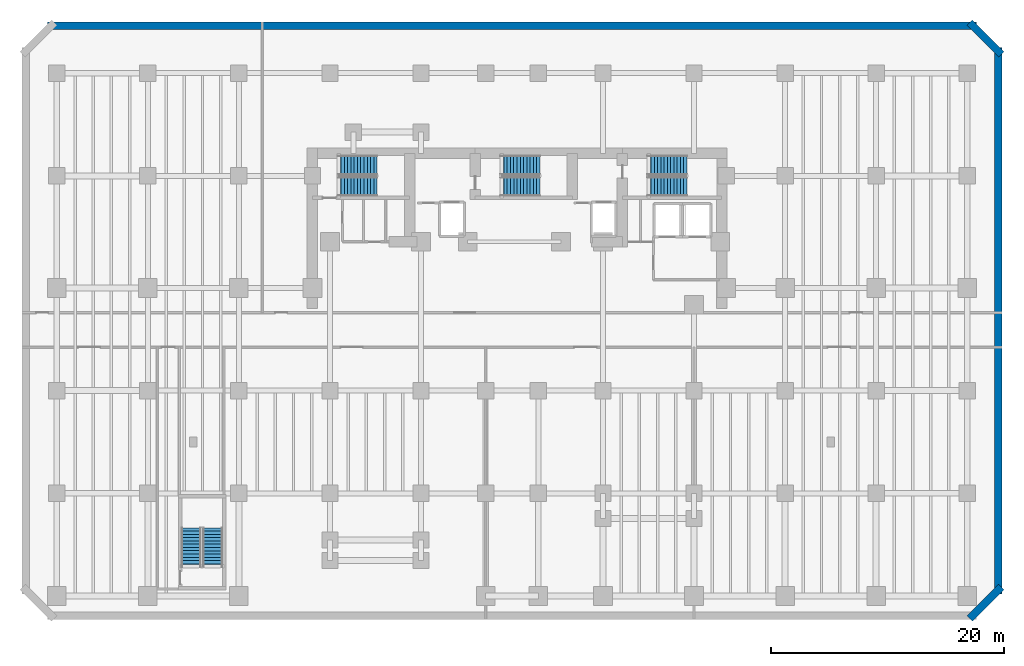
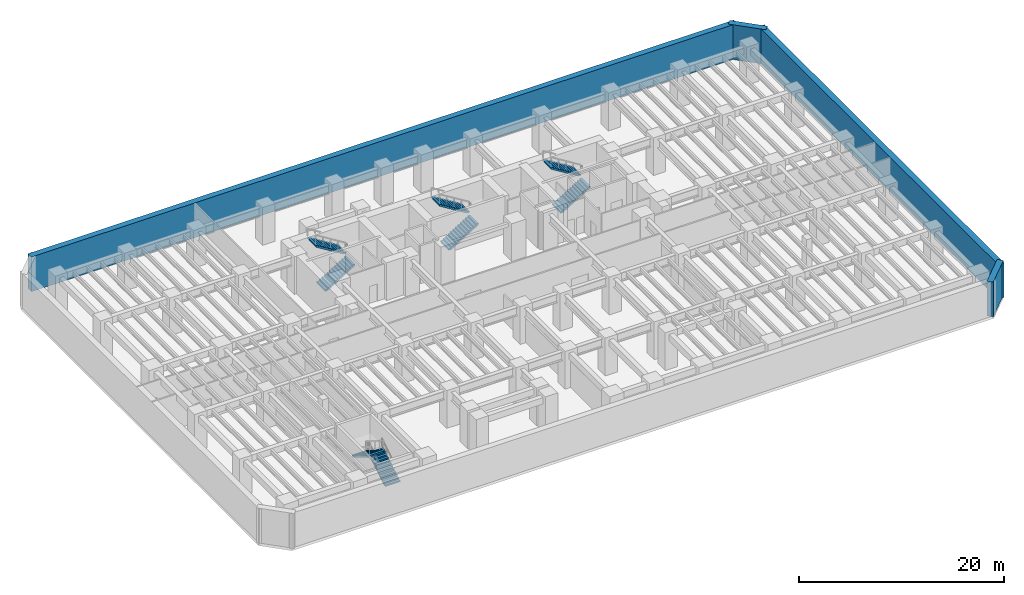
# One storey, part 7 of 9: 8 stair flights, 4 walls, 4 elements without a shape of their own.
"""IFC4 building model written with IfcOpenShell, lengths in metres."""

from ifc_helpers import new_model, si_unit, direction, frame, frame_2d, origin, place, context, subcontext, project, spatial, polyline, rectangle, outline, extrude, material, layer, layer_set, type_object, element, aggregate, save


model = new_model("IFC4")

# Units and contexts
model_context = context("Model", 3, precision=1e-05, world=origin(), true_north=direction((0.0, 1.0)))
body_context = subcontext(model_context, "Body", "Model", "MODEL_VIEW")
ifc_project = project(units=[si_unit("LENGTHUNIT", "METRE"), si_unit("AREAUNIT", "SQUARE_METRE"), si_unit("VOLUMEUNIT", "CUBIC_METRE"), si_unit("PLANEANGLEUNIT", "RADIAN"), si_unit("MASSUNIT", "GRAM", prefix="KILO")], contexts=[model_context])

# Site, building, storey
site_placement = place(None, origin())
site = spatial("IfcSite", under=ifc_project, at=site_placement, CompositionType="ELEMENT")
building_placement = place(site_placement, origin())
building = spatial("IfcBuilding", under=site, at=building_placement, Name="Kestravale Grand Hotel", CompositionType="ELEMENT")
storey_placement = place(building_placement, frame((0.0, 0.0, -4.5)))
storey = spatial("IfcBuildingStorey", under=building, at=storey_placement, Name="B1", CompositionType="ELEMENT", Elevation=-4.5)

# Walls
ifc_material_1 = material(Name="Concrete f'c 45 MPa", Category="concrete")
ifc_layer = layer(ifc_material_1, 0.64990234375)
ifc_layer_set = layer_set([ifc_layer], Name="EW-RET-650")
wall_type = type_object("IfcWallType", Name="EW-RET-650", PredefinedType="USERDEFINED", material=ifc_layer_set)
wall_1_placement = place(storey_placement, frame((78.214599609375, 0.47412109375, 0.0), z_axis=(0.0, 0.0, 1.0), x_axis=(0.707106781187, 0.707106781187, 0.0)))
element("IfcWall", 1, at=wall_1_placement, inside=storey, type_object=wall_type, Name="B1 perimeter retaining wall 2", ObjectType="RETAINING WALL", PredefinedType="USERDEFINED", context=body_context, shape_type="SweptSolid", body=[
    extrude(rectangle(XDim=3.834228515625, YDim=0.64990234375, at=frame_2d((1.9169921875, 0.0))), origin(), (0.0, 0.0, 1.0), 4.14990234375),
])
wall_2_placement = place(storey_placement, frame((80.675048828125, 2.580078125, 0.0), z_axis=(0.0, 0.0, 1.0), x_axis=(0.0, 1.0, 0.0)))
element("IfcWall", 2, at=wall_2_placement, inside=storey, type_object=wall_type, Name="B1 perimeter retaining wall 3", ObjectType="RETAINING WALL", PredefinedType="USERDEFINED", context=body_context, shape_type="SweptSolid", body=[
    extrude(rectangle(XDim=46.83984375, YDim=0.64990234375, at=frame_2d((23.419921875, 0.0))), origin(), (0.0, 0.0, 1.0), 4.14990234375),
])
wall_3_placement = place(storey_placement, frame((80.92578125, 48.814697265625, 0.0), z_axis=(0.0, 0.0, 1.0), x_axis=(-0.707106781187, 0.707106781187, 0.0)))
element("IfcWall", 3, at=wall_3_placement, inside=storey, type_object=wall_type, Name="B1 perimeter retaining wall 4", ObjectType="RETAINING WALL", PredefinedType="USERDEFINED", context=body_context, shape_type="SweptSolid", body=[
    extrude(rectangle(XDim=3.834228515625, YDim=0.64990234375, at=frame_2d((1.9169921875, 0.0))), origin(), (0.0, 0.0, 1.0), 4.14990234375),
])
wall_4_placement = place(storey_placement, frame((78.820068359375, 51.27490234375, 0.0), z_axis=(0.0, 0.0, 1.0), x_axis=(-1.0, 0.0, 0.0)))
element("IfcWall", 4, at=wall_4_placement, inside=storey, type_object=wall_type, Name="B1 perimeter retaining wall 5", ObjectType="RETAINING WALL", PredefinedType="USERDEFINED", context=body_context, shape_type="SweptSolid", body=[
    extrude(rectangle(XDim=79.64013671875, YDim=0.64990234375, at=frame_2d((39.820068359375, 0.0))), origin(), (0.0, 0.0, 1.0), 4.14990234375),
])

# Stair, stair flights
ifc_material_2 = material(Name="Concrete f'c 45 MPa", Category="concrete")
stair_type = type_object("IfcStairType", Name="ST-CORE-450", PredefinedType="HALF_TURN_STAIR", material=ifc_material_2)
stair_1_placement = place(storey_placement, origin())
stair_1 = element("IfcStair", 5, at=stair_1_placement, inside=storey, type_object=stair_type, Name="B1 ST-1", PredefinedType="HALF_TURN_STAIR")
ifc_material_3 = material(Name="Concrete f'c 45 MPa", Category="concrete")
stair_flight_type = type_object("IfcStairFlightType", Name="STF-CORE-450", PredefinedType="STRAIGHT", material=ifc_material_3)
stair_flight_1_placement = place(storey_placement, frame((24.080078125, 37.489990234375, 0.0), z_axis=(0.0, 0.0, 1.0), x_axis=(1.0, 0.0, 0.0)))
stair_flight_1 = element("IfcStairFlight", 6, at=stair_flight_1_placement, type_object=stair_flight_type, Name="ST-1 flight 1", NumberOfRisers=13, NumberOfTreads=12, PredefinedType="STRAIGHT", RiserHeight=0.173076923, TreadLength=0.28, context=body_context, shape_type="SweptSolid", body=[
    extrude(outline(polyline([(0.0, 0.0), (0.0, 0.173095703125), (0.280029296875, 0.173095703125), (0.280029296875, 0.34619140625), (0.56005859375, 0.34619140625), (0.56005859375, 0.519287109375), (0.840087890625, 0.519287109375), (0.840087890625, 0.6923828125), (1.1201171875, 0.6923828125), (1.1201171875, 0.865478515625), (1.39990234375, 0.865478515625), (1.39990234375, 1.03857421875), (1.679931640625, 1.03857421875), (1.679931640625, 1.21142578125), (1.9599609375, 1.21142578125), (1.9599609375, 1.384521484375), (2.239990234375, 1.384521484375), (2.239990234375, 1.5576171875), (2.52001953125, 1.5576171875), (2.52001953125, 1.730712890625), (2.800048828125, 1.730712890625), (2.800048828125, 1.90380859375), (3.080078125, 1.90380859375), (3.080078125, 2.076904296875), (3.360107421875, 2.076904296875), (3.360107421875, 2.25), (3.360107421875, 1.900634765625), (0.28515625, 0.0), (0.0, 0.0)])), frame((0.0, 0.83984375, 0.0), z_axis=(0.0, -1.0, 0.0), x_axis=(1.0, 0.0, 0.0)), (0.0, 0.0, 1.0), 1.679931640625),
])
stair_flight_2_placement = place(storey_placement, frame((27.43994140625, 39.320068359375, 2.25), z_axis=(0.0, 0.0, 1.0), x_axis=(-1.0, 0.0, 0.0)))
stair_flight_2 = element("IfcStairFlight", 7, at=stair_flight_2_placement, type_object=stair_flight_type, Name="ST-1 flight 2", NumberOfRisers=13, NumberOfTreads=12, PredefinedType="STRAIGHT", RiserHeight=0.173076923, TreadLength=0.28, context=body_context, shape_type="SweptSolid", body=[
    extrude(outline(polyline([(0.0, 0.0), (0.0, 0.173095703125), (0.280029296875, 0.173095703125), (0.280029296875, 0.34619140625), (0.56005859375, 0.34619140625), (0.56005859375, 0.519287109375), (0.840087890625, 0.519287109375), (0.840087890625, 0.6923828125), (1.1201171875, 0.6923828125), (1.1201171875, 0.865478515625), (1.39990234375, 0.865478515625), (1.39990234375, 1.03857421875), (1.679931640625, 1.03857421875), (1.679931640625, 1.21142578125), (1.9599609375, 1.21142578125), (1.9599609375, 1.384521484375), (2.239990234375, 1.384521484375), (2.239990234375, 1.5576171875), (2.52001953125, 1.5576171875), (2.52001953125, 1.730712890625), (2.800048828125, 1.730712890625), (2.800048828125, 1.90380859375), (3.080078125, 1.90380859375), (3.080078125, 2.076904296875), (3.360107421875, 2.076904296875), (3.360107421875, 2.25), (3.360107421875, 1.900634765625), (0.28515625, 0.0), (0.0, 0.0)])), frame((0.0, 0.83984375, 0.0), z_axis=(0.0, -1.0, 0.0), x_axis=(1.0, 0.0, 0.0)), (0.0, 0.0, 1.0), 1.679931640625),
])
aggregate(stair_1, [stair_flight_1, stair_flight_2])

stair_2_placement = place(storey_placement, origin())
stair_2 = element("IfcStair", 8, at=stair_2_placement, inside=storey, type_object=stair_type, Name="B1 ST-2", PredefinedType="HALF_TURN_STAIR")
stair_flight_3_placement = place(storey_placement, frame((38.030029296875, 37.489990234375, 0.0), z_axis=(0.0, 0.0, 1.0), x_axis=(1.0, 0.0, 0.0)))
stair_flight_3 = element("IfcStairFlight", 9, at=stair_flight_3_placement, type_object=stair_flight_type, Name="ST-2 flight 1", NumberOfRisers=13, NumberOfTreads=12, PredefinedType="STRAIGHT", RiserHeight=0.173076923, TreadLength=0.28, context=body_context, shape_type="SweptSolid", body=[
    extrude(outline(polyline([(0.0, 0.0), (0.0, 0.173095703125), (0.280029296875, 0.173095703125), (0.280029296875, 0.34619140625), (0.56005859375, 0.34619140625), (0.56005859375, 0.519287109375), (0.840087890625, 0.519287109375), (0.840087890625, 0.6923828125), (1.1201171875, 0.6923828125), (1.1201171875, 0.865478515625), (1.39990234375, 0.865478515625), (1.39990234375, 1.03857421875), (1.679931640625, 1.03857421875), (1.679931640625, 1.21142578125), (1.9599609375, 1.21142578125), (1.9599609375, 1.384521484375), (2.239990234375, 1.384521484375), (2.239990234375, 1.5576171875), (2.52001953125, 1.5576171875), (2.52001953125, 1.730712890625), (2.800048828125, 1.730712890625), (2.800048828125, 1.90380859375), (3.080078125, 1.90380859375), (3.080078125, 2.076904296875), (3.360107421875, 2.076904296875), (3.360107421875, 2.25), (3.360107421875, 1.900634765625), (0.28515625, 0.0), (0.0, 0.0)])), frame((0.0, 0.83984375, 0.0), z_axis=(0.0, -1.0, 0.0), x_axis=(1.0, 0.0, 0.0)), (0.0, 0.0, 1.0), 1.679931640625),
])
stair_flight_4_placement = place(storey_placement, frame((41.389892578125, 39.320068359375, 2.25), z_axis=(0.0, 0.0, 1.0), x_axis=(-1.0, 0.0, 0.0)))
stair_flight_4 = element("IfcStairFlight", 10, at=stair_flight_4_placement, type_object=stair_flight_type, Name="ST-2 flight 2", NumberOfRisers=13, NumberOfTreads=12, PredefinedType="STRAIGHT", RiserHeight=0.173076923, TreadLength=0.28, context=body_context, shape_type="SweptSolid", body=[
    extrude(outline(polyline([(0.0, 0.0), (0.0, 0.173095703125), (0.280029296875, 0.173095703125), (0.280029296875, 0.34619140625), (0.56005859375, 0.34619140625), (0.56005859375, 0.519287109375), (0.840087890625, 0.519287109375), (0.840087890625, 0.6923828125), (1.1201171875, 0.6923828125), (1.1201171875, 0.865478515625), (1.39990234375, 0.865478515625), (1.39990234375, 1.03857421875), (1.679931640625, 1.03857421875), (1.679931640625, 1.21142578125), (1.9599609375, 1.21142578125), (1.9599609375, 1.384521484375), (2.239990234375, 1.384521484375), (2.239990234375, 1.5576171875), (2.52001953125, 1.5576171875), (2.52001953125, 1.730712890625), (2.800048828125, 1.730712890625), (2.800048828125, 1.90380859375), (3.080078125, 1.90380859375), (3.080078125, 2.076904296875), (3.360107421875, 2.076904296875), (3.360107421875, 2.25), (3.360107421875, 1.900634765625), (0.28515625, 0.0), (0.0, 0.0)])), frame((0.0, 0.83984375, 0.0), z_axis=(0.0, -1.0, 0.0), x_axis=(1.0, 0.0, 0.0)), (0.0, 0.0, 1.0), 1.679931640625),
])
aggregate(stair_2, [stair_flight_3, stair_flight_4])

stair_3_placement = place(storey_placement, origin())
stair_3 = element("IfcStair", 11, at=stair_3_placement, inside=storey, type_object=stair_type, Name="B1 ST-3", PredefinedType="HALF_TURN_STAIR")
stair_flight_5_placement = place(storey_placement, frame((50.6298828125, 37.489990234375, 0.0), z_axis=(0.0, 0.0, 1.0), x_axis=(1.0, 0.0, 0.0)))
stair_flight_5 = element("IfcStairFlight", 12, at=stair_flight_5_placement, type_object=stair_flight_type, Name="ST-3 flight 1", NumberOfRisers=13, NumberOfTreads=12, PredefinedType="STRAIGHT", RiserHeight=0.173076923, TreadLength=0.28, context=body_context, shape_type="SweptSolid", body=[
    extrude(outline(polyline([(0.0, 0.0), (0.0, 0.173095703125), (0.280029296875, 0.173095703125), (0.280029296875, 0.34619140625), (0.56005859375, 0.34619140625), (0.56005859375, 0.519287109375), (0.840087890625, 0.519287109375), (0.840087890625, 0.6923828125), (1.1201171875, 0.6923828125), (1.1201171875, 0.865478515625), (1.39990234375, 0.865478515625), (1.39990234375, 1.03857421875), (1.679931640625, 1.03857421875), (1.679931640625, 1.21142578125), (1.9599609375, 1.21142578125), (1.9599609375, 1.384521484375), (2.239990234375, 1.384521484375), (2.239990234375, 1.5576171875), (2.52001953125, 1.5576171875), (2.52001953125, 1.730712890625), (2.800048828125, 1.730712890625), (2.800048828125, 1.90380859375), (3.080078125, 1.90380859375), (3.080078125, 2.076904296875), (3.360107421875, 2.076904296875), (3.360107421875, 2.25), (3.360107421875, 1.900634765625), (0.28515625, 0.0), (0.0, 0.0)])), frame((0.0, 0.83984375, 0.0), z_axis=(0.0, -1.0, 0.0), x_axis=(1.0, 0.0, 0.0)), (0.0, 0.0, 1.0), 1.679931640625),
])
stair_flight_6_placement = place(storey_placement, frame((53.989990234375, 39.320068359375, 2.25), z_axis=(0.0, 0.0, 1.0), x_axis=(-1.0, 0.0, 0.0)))
stair_flight_6 = element("IfcStairFlight", 13, at=stair_flight_6_placement, type_object=stair_flight_type, Name="ST-3 flight 2", NumberOfRisers=13, NumberOfTreads=12, PredefinedType="STRAIGHT", RiserHeight=0.173076923, TreadLength=0.28, context=body_context, shape_type="SweptSolid", body=[
    extrude(outline(polyline([(0.0, 0.0), (0.0, 0.173095703125), (0.280029296875, 0.173095703125), (0.280029296875, 0.34619140625), (0.56005859375, 0.34619140625), (0.56005859375, 0.519287109375), (0.840087890625, 0.519287109375), (0.840087890625, 0.6923828125), (1.1201171875, 0.6923828125), (1.1201171875, 0.865478515625), (1.39990234375, 0.865478515625), (1.39990234375, 1.03857421875), (1.679931640625, 1.03857421875), (1.679931640625, 1.21142578125), (1.9599609375, 1.21142578125), (1.9599609375, 1.384521484375), (2.239990234375, 1.384521484375), (2.239990234375, 1.5576171875), (2.52001953125, 1.5576171875), (2.52001953125, 1.730712890625), (2.800048828125, 1.730712890625), (2.800048828125, 1.90380859375), (3.080078125, 1.90380859375), (3.080078125, 2.076904296875), (3.360107421875, 2.076904296875), (3.360107421875, 2.25), (3.360107421875, 1.900634765625), (0.28515625, 0.0), (0.0, 0.0)])), frame((0.0, 0.83984375, 0.0), z_axis=(0.0, -1.0, 0.0), x_axis=(1.0, 0.0, 0.0)), (0.0, 0.0, 1.0), 1.679931640625),
])
aggregate(stair_3, [stair_flight_5, stair_flight_6])

stair_4_placement = place(storey_placement, origin())
stair_4 = element("IfcStair", 14, at=stair_4_placement, inside=storey, type_object=stair_type, Name="B1 ST-4", PredefinedType="HALF_TURN_STAIR")
stair_flight_7_placement = place(storey_placement, frame((13.360107421875, 4.8798828125, 0.0), z_axis=(0.0, 0.0, 1.0), x_axis=(0.0, 1.0, 0.0)))
stair_flight_7 = element("IfcStairFlight", 15, at=stair_flight_7_placement, type_object=stair_flight_type, Name="ST-4 flight 1", NumberOfRisers=13, NumberOfTreads=12, PredefinedType="STRAIGHT", RiserHeight=0.173076923, TreadLength=0.28, context=body_context, shape_type="SweptSolid", body=[
    extrude(outline(polyline([(0.0, 0.0), (0.0, 0.173095703125), (0.280029296875, 0.173095703125), (0.280029296875, 0.34619140625), (0.56005859375, 0.34619140625), (0.56005859375, 0.519287109375), (0.840087890625, 0.519287109375), (0.840087890625, 0.6923828125), (1.1201171875, 0.6923828125), (1.1201171875, 0.865478515625), (1.39990234375, 0.865478515625), (1.39990234375, 1.03857421875), (1.679931640625, 1.03857421875), (1.679931640625, 1.21142578125), (1.9599609375, 1.21142578125), (1.9599609375, 1.384521484375), (2.239990234375, 1.384521484375), (2.239990234375, 1.5576171875), (2.52001953125, 1.5576171875), (2.52001953125, 1.730712890625), (2.800048828125, 1.730712890625), (2.800048828125, 1.90380859375), (3.080078125, 1.90380859375), (3.080078125, 2.076904296875), (3.360107421875, 2.076904296875), (3.360107421875, 2.25), (3.360107421875, 1.900634765625), (0.28515625, 0.0), (0.0, 0.0)])), frame((0.0, 0.83984375, 0.0), z_axis=(0.0, -1.0, 0.0), x_axis=(1.0, 0.0, 0.0)), (0.0, 0.0, 1.0), 1.679931640625),
])
stair_flight_8_placement = place(storey_placement, frame((11.530029296875, 8.239990234375, 2.25), z_axis=(0.0, 0.0, 1.0), x_axis=(0.0, -1.0, 0.0)))
stair_flight_8 = element("IfcStairFlight", 16, at=stair_flight_8_placement, type_object=stair_flight_type, Name="ST-4 flight 2", NumberOfRisers=13, NumberOfTreads=12, PredefinedType="STRAIGHT", RiserHeight=0.173076923, TreadLength=0.28, context=body_context, shape_type="SweptSolid", body=[
    extrude(outline(polyline([(0.0, 0.0), (0.0, 0.173095703125), (0.280029296875, 0.173095703125), (0.280029296875, 0.34619140625), (0.56005859375, 0.34619140625), (0.56005859375, 0.519287109375), (0.840087890625, 0.519287109375), (0.840087890625, 0.6923828125), (1.1201171875, 0.6923828125), (1.1201171875, 0.865478515625), (1.39990234375, 0.865478515625), (1.39990234375, 1.03857421875), (1.679931640625, 1.03857421875), (1.679931640625, 1.21142578125), (1.9599609375, 1.21142578125), (1.9599609375, 1.384521484375), (2.239990234375, 1.384521484375), (2.239990234375, 1.5576171875), (2.52001953125, 1.5576171875), (2.52001953125, 1.730712890625), (2.800048828125, 1.730712890625), (2.800048828125, 1.90380859375), (3.080078125, 1.90380859375), (3.080078125, 2.076904296875), (3.360107421875, 2.076904296875), (3.360107421875, 2.25), (3.360107421875, 1.900634765625), (0.28515625, 0.0), (0.0, 0.0)])), frame((0.0, 0.83984375, 0.0), z_axis=(0.0, -1.0, 0.0), x_axis=(1.0, 0.0, 0.0)), (0.0, 0.0, 1.0), 1.679931640625),
])
aggregate(stair_4, [stair_flight_7, stair_flight_8])

save(model, "model.ifc")
